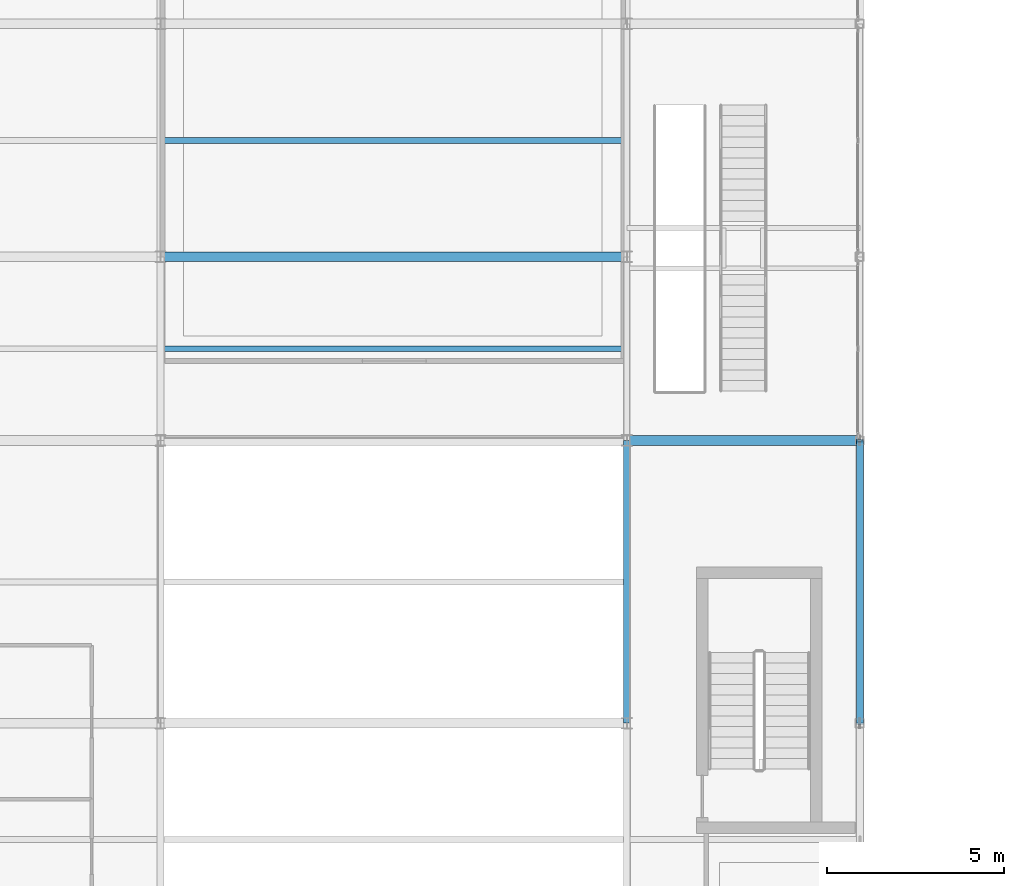
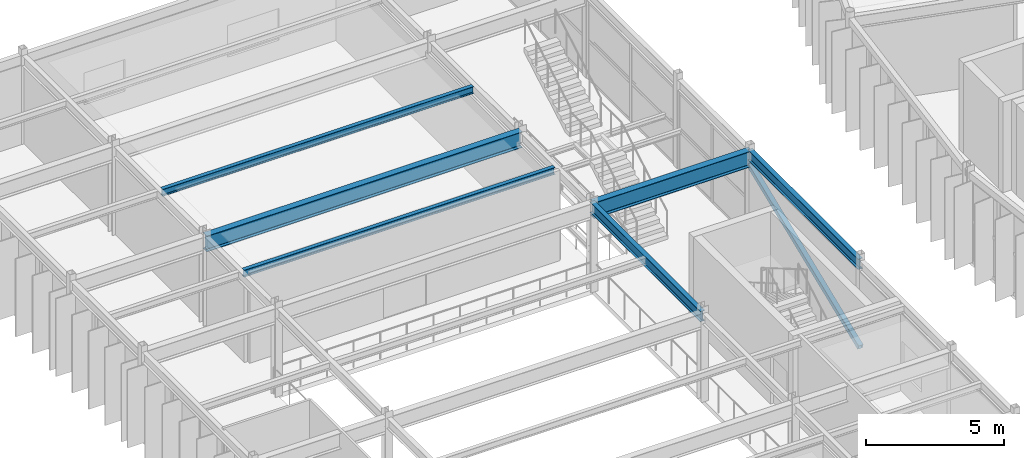
# One storey, part 39 of 147: 6 beams, 1 member.
"""IFC4 building model written with IfcOpenShell, lengths in metres."""

from ifc_helpers import new_model, si_unit, direction, frame, origin, origin_2d, place, context, subcontext, project, spatial, hollow_rectangle, i_section, extrude, material, material_profile, profile_set, type_object, element, save


model = new_model("IFC4")

# Units and contexts
model_context = context("Model", 3, precision=1e-05, world=origin(), true_north=direction((0.0, 1.0)))
body_context = subcontext(model_context, "Body", "Model", "MODEL_VIEW")
ifc_project = project(units=[si_unit("LENGTHUNIT", "METRE"), si_unit("AREAUNIT", "SQUARE_METRE"), si_unit("VOLUMEUNIT", "CUBIC_METRE"), si_unit("PLANEANGLEUNIT", "RADIAN"), si_unit("MASSUNIT", "GRAM", prefix="KILO")], contexts=[model_context])

# Site, building, storey
site_placement = place(None, origin())
site = spatial("IfcSite", under=ifc_project, at=site_placement, CompositionType="ELEMENT")
building_placement = place(site_placement, origin())
building = spatial("IfcBuilding", under=site, at=building_placement, Name="Karori Crest Natural Sciences Institute", CompositionType="ELEMENT")
storey_placement = place(building_placement, frame((0.0, 0.0, 9.10009765625)))
storey = spatial("IfcBuildingStorey", under=building, at=storey_placement, Name="L02", CompositionType="ELEMENT", Elevation=9.10009765625)

# Beams
ifc_material_1 = material(Name="Structural steel AS/NZS 3679.1 Grade 350", Category="steel")
ifc_material_profile_1 = material_profile(ifc_material_1, i_section(OverallWidth=0.27490234375, OverallDepth=0.699951171875, WebThickness=0.010009765625, FlangeThickness=0.02001953125, FilletRadius=0.013916015625, at=origin_2d()), Name="700WB150")
ifc_profile_set_1 = profile_set([ifc_material_profile_1], Name="Structural steel AS/NZS 3679.1 Grade 350")
beam_type_1 = type_object("IfcBeamType", Name="BT-03", PredefinedType="BEAM", material=ifc_profile_set_1)
beam_1_placement = place(storey_placement, frame((20.60009765625, 55.0, 3.56982421875), z_axis=(1.0, 0.0, 0.0), x_axis=(0.0, 1.0, 0.0)))
element("IfcBeam", 1, at=beam_1_placement, inside=storey, type_object=beam_type_1, Name="Beam B-1087", PredefinedType="BEAM", context=body_context, shape_type="SweptSolid", body=[
    extrude(i_section(OverallWidth=0.27490234375, OverallDepth=0.699951171875, WebThickness=0.010009765625, FlangeThickness=0.02001953125, FilletRadius=0.013916015625, at=origin_2d()), origin(), (0.0, 0.0, 1.0), 6.599853515625),
])
beam_2_placement = place(storey_placement, frame((7.39990234375, 60.199951171875, 3.56982421875), z_axis=(1.0, 0.0, 0.0), x_axis=(0.0, 1.0, 0.0)))
element("IfcBeam", 2, at=beam_2_placement, inside=storey, type_object=beam_type_1, Name="Beam B-1089", PredefinedType="BEAM", context=body_context, shape_type="SweptSolid", body=[
    extrude(i_section(OverallWidth=0.27490234375, OverallDepth=0.699951171875, WebThickness=0.010009765625, FlangeThickness=0.02001953125, FilletRadius=0.013916015625, at=origin_2d()), origin(), (0.0, 0.0, 1.0), 13.2001953125),
])
ifc_material_profile_2 = material_profile(ifc_material_1, i_section(OverallWidth=0.19091796875, OverallDepth=0.4599609375, WebThickness=0.010009765625, FlangeThickness=0.01611328125, FilletRadius=0.010986328125, at=origin_2d()), Name="460UB82.1")
ifc_profile_set_2 = profile_set([ifc_material_profile_2], Name="Structural steel AS/NZS 3679.1 Grade 350")
beam_type_2 = type_object("IfcBeamType", Name="BT-06", PredefinedType="BEAM", material=ifc_profile_set_2)
beam_3_placement = place(storey_placement, frame((20.60009765625, 47.0, 3.68994140625), z_axis=(0.0, 1.0, 0.0), x_axis=(-1.0, 0.0, 0.0)))
element("IfcBeam", 3, at=beam_3_placement, inside=storey, type_object=beam_type_2, Name="Beam B-1113", PredefinedType="BEAM", context=body_context, shape_type="SweptSolid", body=[
    extrude(i_section(OverallWidth=0.19091796875, OverallDepth=0.4599609375, WebThickness=0.010009765625, FlangeThickness=0.01611328125, FilletRadius=0.010986328125, at=origin_2d()), origin(), (0.0, 0.0, 1.0), 8.0),
])
ifc_material_profile_3 = material_profile(ifc_material_1, i_section(OverallWidth=0.19091796875, OverallDepth=0.4599609375, WebThickness=0.010009765625, FlangeThickness=0.01611328125, FilletRadius=0.010986328125, at=origin_2d()), Name="460UB82.1")
ifc_profile_set_3 = profile_set([ifc_material_profile_3], Name="Structural steel AS/NZS 3679.1 Grade 350")
beam_type_3 = type_object("IfcBeamType", Name="BT-06-EL", PredefinedType="BEAM", material=ifc_profile_set_3)
beam_4_placement = place(storey_placement, frame((27.199951171875, 47.0, 3.68994140625), z_axis=(0.0, 1.0, 0.0), x_axis=(-1.0, 0.0, 0.0)))
element("IfcBeam", 4, at=beam_4_placement, inside=storey, type_object=beam_type_3, Name="Beam B-1120", PredefinedType="BEAM", context=body_context, shape_type="SweptSolid", body=[
    extrude(i_section(OverallWidth=0.19091796875, OverallDepth=0.4599609375, WebThickness=0.010009765625, FlangeThickness=0.01611328125, FilletRadius=0.010986328125, at=origin_2d()), origin(), (0.0, 0.0, 1.0), 8.0),
])
ifc_material_profile_4 = material_profile(ifc_material_1, i_section(OverallWidth=0.166015625, OverallDepth=0.306884765625, WebThickness=0.006591796875, FlangeThickness=0.01171875, FilletRadius=0.010986328125, at=origin_2d()), Name="310UB46.2")
ifc_profile_set_4 = profile_set([ifc_material_profile_4], Name="Structural steel AS/NZS 3679.1 Grade 350")
beam_type_4 = type_object("IfcBeamType", Name="BT-09", PredefinedType="BEAM", material=ifc_profile_set_4)
for number, where, z_axis, x_axis, name in (
    (5, (7.49560546875, 57.60009765625, 3.766357421875), (1.0, 0.0, 0.0), (0.0, 1.0, 0.0), "Beam B-1133"),
    (6, (7.49560546875, 63.5, 3.766357421875), (1.0, 0.0, 0.0), (0.0, 1.0, 0.0), "Beam B-1134"),
):
    element("IfcBeam", number, at=place(storey_placement, frame(where, z_axis=z_axis, x_axis=x_axis)), inside=storey, type_object=beam_type_4, Name=name, PredefinedType="BEAM", context=body_context, shape_type="SweptSolid", body=[
        extrude(i_section(OverallWidth=0.166015625, OverallDepth=0.306884765625, WebThickness=0.006591796875, FlangeThickness=0.01171875, FilletRadius=0.010986328125, at=origin_2d()), origin(), (0.0, 0.0, 1.0), 13.0087890625),
    ])

# Member
ifc_material_2 = material(Name="Hollow structural steel AS/NZS 1163 Grade C350", Category="steel")
ifc_material_profile_5 = material_profile(ifc_material_2, hollow_rectangle(XDim=0.199951171875, YDim=0.199951171875, WallThickness=0.010009765625, at=origin_2d()), Name="SHS200x200x10")
ifc_profile_set_5 = profile_set([ifc_material_profile_5], Name="Hollow structural steel AS/NZS 1163 Grade C350")
member_type = type_object("IfcMemberType", Name="MT-04", PredefinedType="BRACE", material=ifc_profile_set_5)
member_placement = place(storey_placement, frame((27.199951171875, 47.0, 0.010009765625), z_axis=(0.0, 0.927675995403, 0.373386190899), x_axis=(-1.0, 0.0, 0.0)))
element("IfcMember", 7, at=member_placement, inside=storey, type_object=member_type, Name="Diagonal Brace M-0256", PredefinedType="BRACE", context=body_context, shape_type="SweptSolid", body=[
    extrude(hollow_rectangle(XDim=0.199951171875, YDim=0.199951171875, WallThickness=0.010009765625, at=origin_2d()), origin(), (0.0, 0.0, 1.0), 8.623779296875),
])

save(model, "model.ifc")
